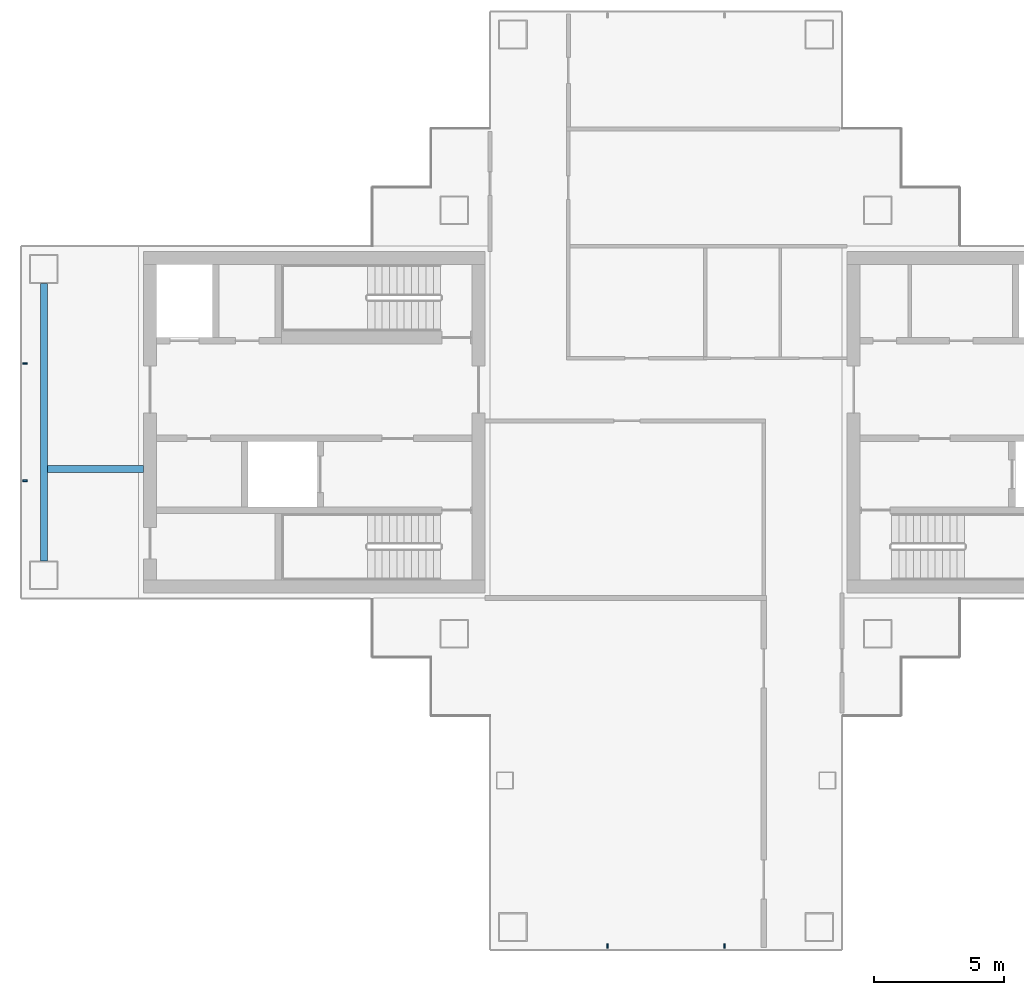
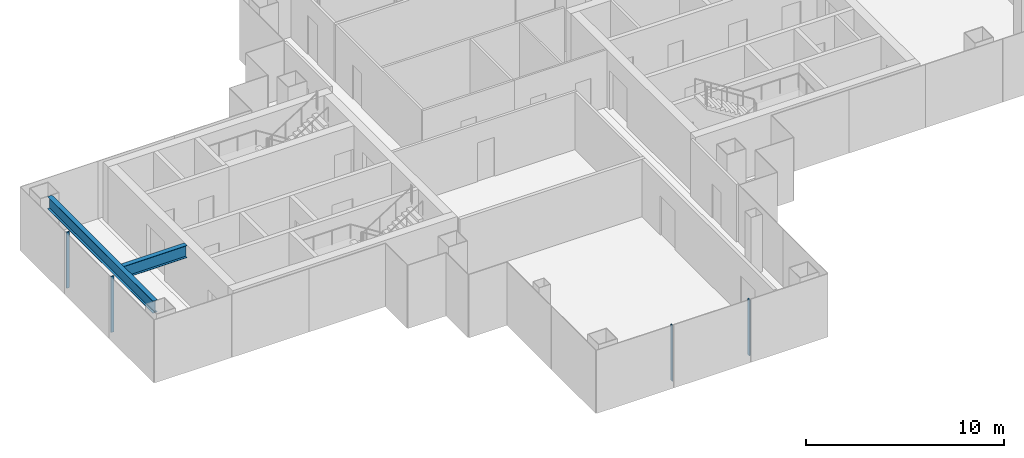
# One storey, part 3 of 16: 4 members, 2 beams, 2 elements without a shape of their own.
"""IFC4 building model written with IfcOpenShell, lengths in metres."""

from ifc_helpers import new_model, si_unit, direction, frame, origin, origin_2d, place, context, subcontext, project, spatial, rectangle, i_section, extrude, material, layer, layer_set, material_profile, profile_set, type_object, element, aggregate, save


model = new_model("IFC4")

# Units and contexts
model_context = context("Model", 3, precision=1e-05, world=origin(), true_north=direction((0.0, 1.0)))
body_context = subcontext(model_context, "Body", "Model", "MODEL_VIEW")
ifc_project = project(units=[si_unit("LENGTHUNIT", "METRE"), si_unit("AREAUNIT", "SQUARE_METRE"), si_unit("VOLUMEUNIT", "CUBIC_METRE"), si_unit("PLANEANGLEUNIT", "RADIAN"), si_unit("MASSUNIT", "GRAM", prefix="KILO")], contexts=[model_context])

# Site, building, storey
site_placement = place(None, origin())
site = spatial("IfcSite", under=ifc_project, at=site_placement, CompositionType="ELEMENT")
building_placement = place(site_placement, origin())
building = spatial("IfcBuilding", under=site, at=building_placement, Name="Shamsa Quay Exchange Towers", CompositionType="ELEMENT")
storey_placement = place(building_placement, frame((0.0, 0.0, 138.89990234375)))
storey = spatial("IfcBuildingStorey", under=building, at=storey_placement, Name="L32", CompositionType="ELEMENT", Elevation=138.89990234375)

# Curtain wall, members
ifc_material_1 = material(Name="Aluminium EN AW-6063 T6, black anodised", Category="aluminium")
ifc_layer = layer(ifc_material_1, 0.280029296875)
ifc_layer_set = layer_set([ifc_layer], Name="CW-1 UNITISED VISION GLASS")
curtain_wall_type = type_object("IfcCurtainWallType", Name="CW-1 UNITISED VISION GLASS", PredefinedType="NOTDEFINED", material=ifc_layer_set)
curtain_wall_1_placement = place(storey_placement, origin())
curtain_wall_1 = element("IfcCurtainWall", 1, at=curtain_wall_1_placement, inside=storey, type_object=curtain_wall_type, Name="CW1 T1-END-V- L32", PredefinedType="NOTDEFINED")
ifc_material_profile_1 = material_profile(ifc_material_1, rectangle(XDim=0.179931640625, YDim=0.06005859375, at=origin_2d()), Name="MU60x180")
ifc_profile_set_1 = profile_set([ifc_material_profile_1], Name="Aluminium EN AW-6063 T6, black anodised")
member_type = type_object("IfcMemberType", Name="CW1 MULLION 60x180", PredefinedType="MULLION", material=ifc_profile_set_1)
member_1_placement = place(storey_placement, frame((-36.0, -20.10009765625, 0.0), z_axis=(0.0, 0.0, 1.0), x_axis=(0.0, 1.0, 0.0)))
member_1 = element("IfcMember", 2, at=member_1_placement, type_object=member_type, Name="CW1 mullion", PredefinedType="MULLION", context=body_context, shape_type="SweptSolid", body=[
    extrude(rectangle(XDim=0.179931640625, YDim=0.06005859375, at=origin_2d()), origin(), (0.0, 0.0, 1.0), 3.4501953125),
])
member_2_placement = place(storey_placement, frame((-31.5, -20.10009765625, 0.0), z_axis=(0.0, 0.0, 1.0), x_axis=(0.0, 1.0, 0.0)))
member_2 = element("IfcMember", 3, at=member_2_placement, type_object=member_type, Name="CW1 mullion", PredefinedType="MULLION", context=body_context, shape_type="SweptSolid", body=[
    extrude(rectangle(XDim=0.179931640625, YDim=0.06005859375, at=origin_2d()), origin(), (0.0, 0.0, 1.0), 3.4501953125),
])
aggregate(curtain_wall_1, [member_1, member_2])

curtain_wall_2_placement = place(storey_placement, origin())
curtain_wall_2 = element("IfcCurtainWall", 4, at=curtain_wall_2_placement, inside=storey, type_object=curtain_wall_type, Name="CW1 T1-END-U- L32", PredefinedType="NOTDEFINED")
member_3_placement = place(storey_placement, frame((-58.35009765625, 2.25, 0.0)))
member_3 = element("IfcMember", 5, at=member_3_placement, type_object=member_type, Name="CW1 mullion", PredefinedType="MULLION", context=body_context, shape_type="SweptSolid", body=[
    extrude(rectangle(XDim=0.179931640625, YDim=0.06005859375, at=origin_2d()), origin(), (0.0, 0.0, 1.0), 3.4501953125),
])
member_4_placement = place(storey_placement, frame((-58.35009765625, -2.25, 0.0)))
member_4 = element("IfcMember", 6, at=member_4_placement, type_object=member_type, Name="CW1 mullion", PredefinedType="MULLION", context=body_context, shape_type="SweptSolid", body=[
    extrude(rectangle(XDim=0.179931640625, YDim=0.06005859375, at=origin_2d()), origin(), (0.0, 0.0, 1.0), 3.4501953125),
])
aggregate(curtain_wall_2, [member_3, member_4])

# Beams
ifc_material_2 = material(Name="Steel S355", Category="steel")
ifc_material_profile_2 = material_profile(ifc_material_2, i_section(OverallWidth=0.26611328125, OverallDepth=0.7578125, WebThickness=0.013916015625, FlangeThickness=0.019287109375, at=origin_2d()), Name="W30x108")
ifc_profile_set_2 = profile_set([ifc_material_profile_2], Name="Steel S355")
beam_type = type_object("IfcBeamType", Name="End-zone beam W30x108", PredefinedType="BEAM", material=ifc_profile_set_2)
beam_1_placement = place(storey_placement, frame((-57.625, -5.324951171875, 3.171142578125), z_axis=(0.0, 1.0, 0.0), x_axis=(-1.0, 0.0, 0.0)))
element("IfcBeam", 7, at=beam_1_placement, inside=storey, type_object=beam_type, Name="End beam T1 U- end zone L32", PredefinedType="BEAM", context=body_context, shape_type="SweptSolid", body=[
    extrude(i_section(OverallWidth=0.26611328125, OverallDepth=0.7578125, WebThickness=0.013916015625, FlangeThickness=0.019287109375, at=origin_2d()), origin(), (0.0, 0.0, 1.0), 10.64990234375),
])
beam_2_placement = place(storey_placement, frame((-53.800048828125, -1.800048828125, 3.171142578125), z_axis=(-1.0, 0.0, 0.0), x_axis=(0.0, -1.0, 0.0)))
element("IfcBeam", 8, at=beam_2_placement, inside=storey, type_object=beam_type, Name="Spine beam T1 U- end zone L32", PredefinedType="BEAM", context=body_context, shape_type="SweptSolid", body=[
    extrude(i_section(OverallWidth=0.26611328125, OverallDepth=0.7578125, WebThickness=0.013916015625, FlangeThickness=0.019287109375, at=origin_2d()), origin(), (0.0, 0.0, 1.0), 3.69189453125),
])

save(model, "model.ifc")
